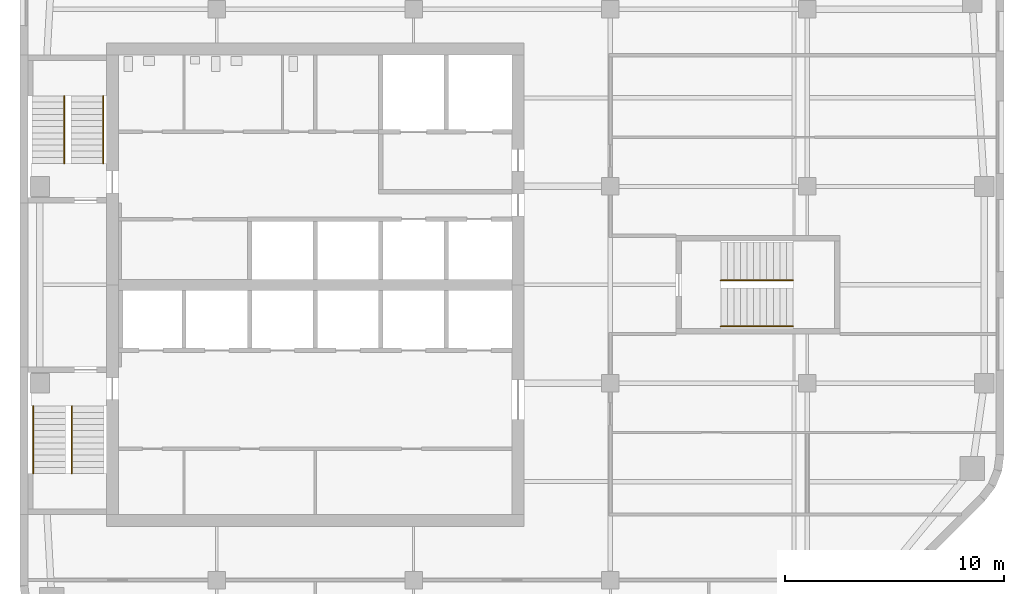
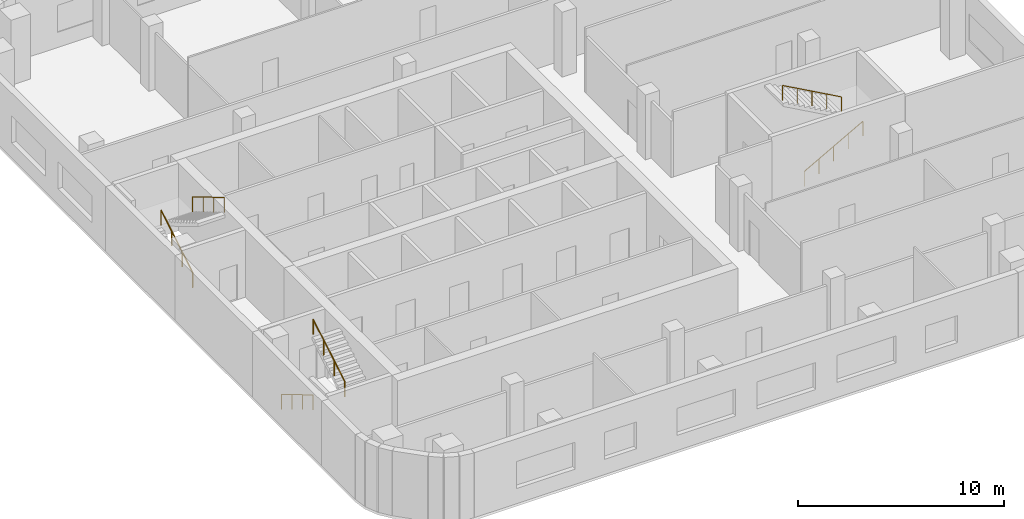
# One storey, part 7 of 8: 6 railings, 3 elements without a shape of their own.
"""IFC4 building model written with IfcOpenShell, lengths in metres."""

from ifc_helpers import new_model, si_unit, direction, frame, origin, origin_2d, place, context, subcontext, project, spatial, circle, extrude, material, type_object, element, aggregate, save


model = new_model("IFC4")

# Units and contexts
model_context = context("Model", 3, precision=1e-05, world=origin(), true_north=direction((0.0, 1.0)))
body_context = subcontext(model_context, "Body", "Model", "MODEL_VIEW")
ifc_project = project(units=[si_unit("LENGTHUNIT", "METRE"), si_unit("AREAUNIT", "SQUARE_METRE"), si_unit("VOLUMEUNIT", "CUBIC_METRE"), si_unit("PLANEANGLEUNIT", "RADIAN"), si_unit("MASSUNIT", "GRAM", prefix="KILO")], contexts=[model_context])

# Site, building, storey
site_placement = place(None, origin())
site = spatial("IfcSite", under=ifc_project, at=site_placement, CompositionType="ELEMENT")
building_placement = place(site_placement, origin())
building = spatial("IfcBuilding", under=site, at=building_placement, Name="Cinnabar Reach Civic Tower", CompositionType="ELEMENT")
storey_placement = place(building_placement, frame((0.0, 0.0, 202.0)))
storey = spatial("IfcBuildingStorey", under=building, at=storey_placement, Name="L48", CompositionType="ELEMENT", Elevation=202.0)

# Stair, railings
ifc_material_1 = material(Name="Concrete C40/50", Category="concrete")
stair_type = type_object("IfcStairType", Name="T1 Exit stair, half-turn", PredefinedType="HALF_TURN_STAIR", material=ifc_material_1)
stair_1_placement = place(storey_placement, origin())
stair_1 = element("IfcStair", 1, at=stair_1_placement, inside=storey, type_object=stair_type, Name="Stair T1-S1", PredefinedType="HALF_TURN_STAIR")
ifc_material_2 = material(Name="Stainless steel tube", Category="steel")
railing_type = type_object("IfcRailingType", Name="T1 Stair handrail, stainless tube 48", PredefinedType="HANDRAIL", material=ifc_material_2)
railing_1_placement = place(storey_placement, frame((0.6, 25.95, 0.1667)))
railing_1 = element("IfcRailing", 2, at=railing_1_placement, type_object=railing_type, Name="T1-S1 handrail 1", PredefinedType="HANDRAIL", context=body_context, shape_type="SweptSolid", body=[
    extrude(circle(Radius=0.024, at=origin_2d()), frame((0.0, 0.0, 0.876), z_axis=(0.0, -0.859296971757, 0.511476992962), x_axis=(1.0, 0.0, 0.0)), (0.0, 0.0, 1.0), 3.5843),
    extrude(circle(Radius=0.021, at=origin_2d()), origin(), (0.0, 0.0, 1.0), 0.852),
    extrude(circle(Radius=0.021, at=origin_2d()), frame((0.0, -1.0267, 0.6111)), (0.0, 0.0, 1.0), 0.852),
    extrude(circle(Radius=0.021, at=origin_2d()), frame((0.0, -2.0533, 1.2222)), (0.0, 0.0, 1.0), 0.852),
    extrude(circle(Radius=0.021, at=origin_2d()), frame((0.0, -3.08, 1.8333)), (0.0, 0.0, 1.0), 0.852),
])
railing_2_placement = place(storey_placement, frame((2.375, 22.87, 2.1667)))
railing_2 = element("IfcRailing", 3, at=railing_2_placement, type_object=railing_type, Name="T1-S1 handrail 2", PredefinedType="HANDRAIL", context=body_context, shape_type="SweptSolid", body=[
    extrude(circle(Radius=0.024, at=origin_2d()), frame((0.0, 0.0, 0.876), z_axis=(0.0, 0.859296971757, 0.511476992962), x_axis=(-1.0, 0.0, 0.0)), (0.0, 0.0, 1.0), 3.5843),
    extrude(circle(Radius=0.021, at=origin_2d()), origin(), (0.0, 0.0, 1.0), 0.852),
    extrude(circle(Radius=0.021, at=origin_2d()), frame((0.0, 1.0267, 0.6111)), (0.0, 0.0, 1.0), 0.852),
    extrude(circle(Radius=0.021, at=origin_2d()), frame((0.0, 2.0533, 1.2222)), (0.0, 0.0, 1.0), 0.852),
    extrude(circle(Radius=0.021, at=origin_2d()), frame((0.0, 3.08, 1.8333)), (0.0, 0.0, 1.0), 0.852),
])
aggregate(stair_1, [railing_1, railing_2])

stair_2_placement = place(storey_placement, origin())
stair_2 = element("IfcStair", 4, at=stair_2_placement, inside=storey, type_object=stair_type, Name="Stair T1-S2", PredefinedType="HALF_TURN_STAIR")
railing_3_placement = place(storey_placement, frame((2.025, 37.05, 0.1667)))
railing_3 = element("IfcRailing", 5, at=railing_3_placement, type_object=railing_type, Name="T1-S2 handrail 1", PredefinedType="HANDRAIL", context=body_context, shape_type="SweptSolid", body=[
    extrude(circle(Radius=0.024, at=origin_2d()), frame((0.0, 0.0, 0.876), z_axis=(0.0, 0.859296971757, 0.511476992962), x_axis=(-1.0, 0.0, 0.0)), (0.0, 0.0, 1.0), 3.5843),
    extrude(circle(Radius=0.021, at=origin_2d()), origin(), (0.0, 0.0, 1.0), 0.852),
    extrude(circle(Radius=0.021, at=origin_2d()), frame((0.0, 1.0267, 0.6111)), (0.0, 0.0, 1.0), 0.852),
    extrude(circle(Radius=0.021, at=origin_2d()), frame((0.0, 2.0533, 1.2222)), (0.0, 0.0, 1.0), 0.852),
    extrude(circle(Radius=0.021, at=origin_2d()), frame((0.0, 3.08, 1.8333)), (0.0, 0.0, 1.0), 0.852),
])
railing_4_placement = place(storey_placement, frame((3.8, 40.13, 2.1667)))
railing_4 = element("IfcRailing", 6, at=railing_4_placement, type_object=railing_type, Name="T1-S2 handrail 2", PredefinedType="HANDRAIL", context=body_context, shape_type="SweptSolid", body=[
    extrude(circle(Radius=0.024, at=origin_2d()), frame((0.0, 0.0, 0.876), z_axis=(0.0, -0.859296971757, 0.511476992962), x_axis=(1.0, 0.0, 0.0)), (0.0, 0.0, 1.0), 3.5843),
    extrude(circle(Radius=0.021, at=origin_2d()), origin(), (0.0, 0.0, 1.0), 0.852),
    extrude(circle(Radius=0.021, at=origin_2d()), frame((0.0, -1.0267, 0.6111)), (0.0, 0.0, 1.0), 0.852),
    extrude(circle(Radius=0.021, at=origin_2d()), frame((0.0, -2.0533, 1.2222)), (0.0, 0.0, 1.0), 0.852),
    extrude(circle(Radius=0.021, at=origin_2d()), frame((0.0, -3.08, 1.8333)), (0.0, 0.0, 1.0), 0.852),
])
aggregate(stair_2, [railing_3, railing_4])

stair_3_placement = place(storey_placement, origin())
stair_3 = element("IfcStair", 7, at=stair_3_placement, inside=storey, type_object=stair_type, Name="Stair T1-S3", PredefinedType="HALF_TURN_STAIR")
railing_5_placement = place(storey_placement, frame((32.05, 29.6, 0.1667)))
railing_5 = element("IfcRailing", 8, at=railing_5_placement, type_object=railing_type, Name="T1-S3 handrail 1", PredefinedType="HANDRAIL", context=body_context, shape_type="SweptSolid", body=[
    extrude(circle(Radius=0.024, at=origin_2d()), frame((0.0, 0.0, 0.876), z_axis=(0.874161024642, 0.0, 0.485636183781), x_axis=(0.0, 1.0, 0.0)), (0.0, 0.0, 1.0), 3.775),
    extrude(circle(Radius=0.021, at=origin_2d()), origin(), (0.0, 0.0, 1.0), 0.852),
    extrude(circle(Radius=0.021, at=origin_2d()), frame((0.825, 0.0, 0.4583)), (0.0, 0.0, 1.0), 0.852),
    extrude(circle(Radius=0.021, at=origin_2d()), frame((1.65, 0.0, 0.9167)), (0.0, 0.0, 1.0), 0.852),
    extrude(circle(Radius=0.021, at=origin_2d()), frame((2.475, 0.0, 1.375)), (0.0, 0.0, 1.0), 0.852),
    extrude(circle(Radius=0.021, at=origin_2d()), frame((3.3, 0.0, 1.8333)), (0.0, 0.0, 1.0), 0.852),
])
railing_6_placement = place(storey_placement, frame((35.35, 31.7, 2.1667)))
railing_6 = element("IfcRailing", 9, at=railing_6_placement, type_object=railing_type, Name="T1-S3 handrail 2", PredefinedType="HANDRAIL", context=body_context, shape_type="SweptSolid", body=[
    extrude(circle(Radius=0.024, at=origin_2d()), frame((0.0, 0.0, 0.876), z_axis=(-0.874161024642, 0.0, 0.485636183781), x_axis=(0.0, -1.0, 0.0)), (0.0, 0.0, 1.0), 3.775),
    extrude(circle(Radius=0.021, at=origin_2d()), origin(), (0.0, 0.0, 1.0), 0.852),
    extrude(circle(Radius=0.021, at=origin_2d()), frame((-0.825, 0.0, 0.4583)), (0.0, 0.0, 1.0), 0.852),
    extrude(circle(Radius=0.021, at=origin_2d()), frame((-1.65, 0.0, 0.9167)), (0.0, 0.0, 1.0), 0.852),
    extrude(circle(Radius=0.021, at=origin_2d()), frame((-2.475, 0.0, 1.375)), (0.0, 0.0, 1.0), 0.852),
    extrude(circle(Radius=0.021, at=origin_2d()), frame((-3.3, 0.0, 1.8333)), (0.0, 0.0, 1.0), 0.852),
])
aggregate(stair_3, [railing_5, railing_6])

save(model, "model.ifc")
